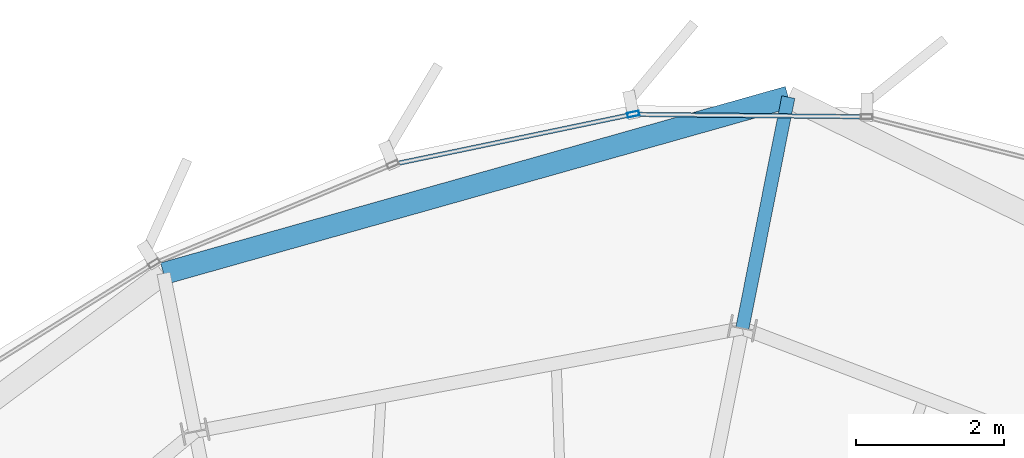
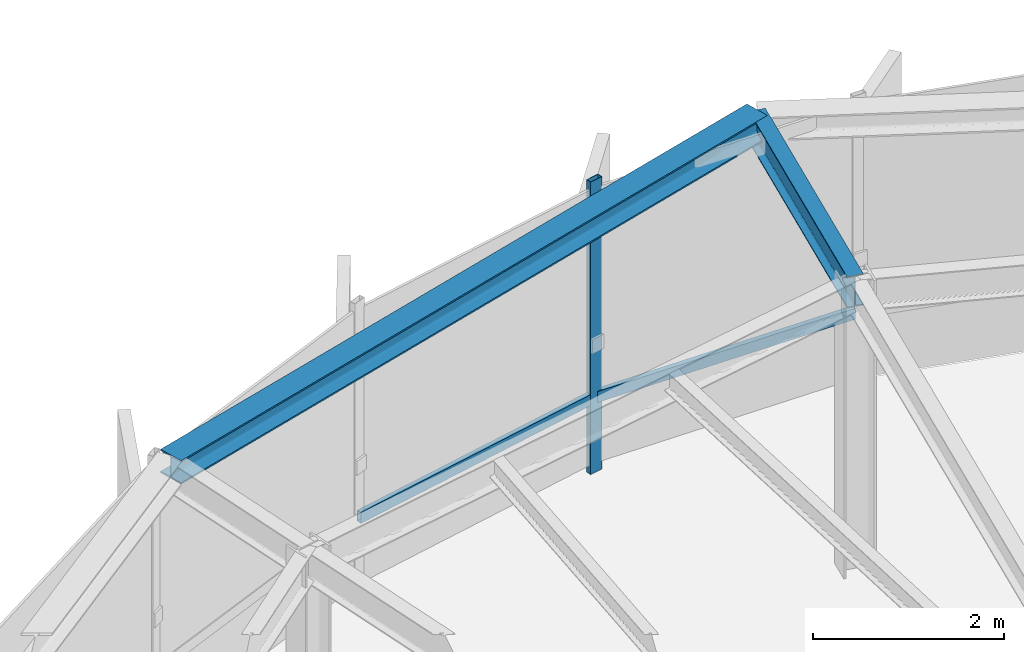
# One storey, part 18 of 27: 3 members, 2 beams, 1 element without a shape of its own.
"""IFC4 building model written with IfcOpenShell, lengths in metres."""

from ifc_helpers import new_model, si_unit, direction, frame, origin, origin_2d, place, context, subcontext, project, spatial, hollow_rectangle, i_section, extrude, source, transform, mapped, material, layer, layer_set, material_profile, profile_set, type_object, element, aggregate, save


model = new_model("IFC4")

# Units and contexts
model_context = context("Model", 3, precision=1e-05, world=origin(), true_north=direction((0.0, 1.0)))
body_context = subcontext(model_context, "Body", "Model", "MODEL_VIEW")
ifc_project = project(units=[si_unit("LENGTHUNIT", "METRE"), si_unit("AREAUNIT", "SQUARE_METRE"), si_unit("VOLUMEUNIT", "CUBIC_METRE"), si_unit("PLANEANGLEUNIT", "RADIAN"), si_unit("MASSUNIT", "GRAM", prefix="KILO"), si_unit("THERMODYNAMICTEMPERATUREUNIT", "KELVIN")], contexts=[model_context])

# Site, building, storey
site_placement = place(None, origin())
site = spatial("IfcSite", under=ifc_project, at=site_placement, CompositionType="ELEMENT")
building_placement = place(site_placement, origin())
building = spatial("IfcBuilding", under=site, at=building_placement, Name="Kethvar Cultural Tower", CompositionType="ELEMENT")
storey_placement = place(building_placement, frame((0.0, 0.0, 308.300048828125)))
storey = spatial("IfcBuildingStorey", under=building, at=storey_placement, Name="L82", CompositionType="ELEMENT", Elevation=308.300048828125)

# Beams
ifc_material_1 = material(Name="Steel S355J2", Category="steel")
ifc_material_profile_1 = material_profile(ifc_material_1, i_section(OverallWidth=0.179931640625, OverallDepth=0.39990234375, WebThickness=0.008544921875, FlangeThickness=0.013427734375, FilletRadius=0.02099609375, at=origin_2d()), Name="Steel S355J2 — IPE400")
ifc_profile_set_1 = profile_set([ifc_material_profile_1], Name="Steel S355J2 — IPE400")
beam_type_1 = type_object("IfcBeamType", Name="BM-IPE400", PredefinedType="BEAM", material=ifc_profile_set_1)
shared_shape_1 = source(origin(), body_context, "Body", "SweptSolid", [
    extrude(i_section(OverallWidth=0.179931640625, OverallDepth=0.39990234375, WebThickness=0.008544921875, FlangeThickness=0.013427734375, FilletRadius=0.02099609375, at=origin_2d()), origin(), (0.0, 0.0, 1.0), 3.191162109375),
])
beam_1_placement = place(storey_placement, frame((50.645263671875, 47.131591796875, 3.532958984375), z_axis=(0.195086160367, 0.980786108198, 0.0), x_axis=(-0.980786108198, 0.195086160367, 0.0)))
element("IfcBeam", 1, at=beam_1_placement, inside=storey, type_object=beam_type_1, Name="L82 Perimeter Cantilever Beam RC-04", PredefinedType="BEAM", context=body_context, shape_type="MappedRepresentation", body=[
    mapped(shared_shape_1, transform((0.0, 0.0, 0.0), scale=1.0)),
])
ifc_material_profile_2 = material_profile(ifc_material_1, i_section(OverallWidth=0.300048828125, OverallDepth=0.300048828125, WebThickness=0.010986328125, FlangeThickness=0.01904296875, FilletRadius=0.027099609375, at=origin_2d()), Name="Steel S355J2 — HEB300")
ifc_profile_set_2 = profile_set([ifc_material_profile_2], Name="Steel S355J2 — HEB300")
beam_type_2 = type_object("IfcBeamType", Name="BM-SP300", PredefinedType="SPANDREL", material=ifc_profile_set_2)
shared_shape_2 = source(origin(), body_context, "Body", "SweptSolid", [
    extrude(i_section(OverallWidth=0.300048828125, OverallDepth=0.300048828125, WebThickness=0.010986328125, FlangeThickness=0.01904296875, FilletRadius=0.027099609375, at=origin_2d()), origin(), (0.0, 0.0, 1.0), 8.791259765625),
])
beam_2_placement = place(storey_placement, frame((51.267822265625, 50.261474609375, 3.5830078125), z_axis=(-0.962402406809, -0.271627699928, 0.0), x_axis=(0.271627699928, -0.962402406809, 0.0)))
element("IfcBeam", 2, at=beam_2_placement, inside=storey, type_object=beam_type_2, Name="L82 Perimeter Spandrel Beam SP-04", PredefinedType="SPANDREL", context=body_context, shape_type="MappedRepresentation", body=[
    mapped(shared_shape_2, transform((0.0, 0.0, 0.0), scale=1.0)),
])

# Curtain wall, members
ifc_material_2 = material(Name="Aluminium 6063-T6", Category="aluminium")
ifc_layer = layer(ifc_material_2, 0.179931640625, Name="Aluminium 6063-T6", Category="aluminium")
ifc_layer_set = layer_set([ifc_layer], Name="Aluminium 6063-T6 (180 mm)")
curtain_wall_type = type_object("IfcCurtainWallType", Name="CW-SYS-06-CROWN", PredefinedType="NOTDEFINED", material=ifc_layer_set)
curtain_wall_placement = place(storey_placement, origin())
curtain_wall = element("IfcCurtainWall", 3, at=curtain_wall_placement, inside=storey, type_object=curtain_wall_type, Name="L82 Curtain Wall Run 01", PredefinedType="NOTDEFINED")
ifc_material_profile_3 = material_profile(ifc_material_2, hollow_rectangle(XDim=0.06494140625, YDim=0.159912109375, WallThickness=0.0048828125, at=origin_2d()), Name="Aluminium 6063-T6 — RHS160x65x5")
ifc_profile_set_3 = profile_set([ifc_material_profile_3], Name="Aluminium 6063-T6 — RHS160x65x5")
member_type_1 = type_object("IfcMemberType", Name="CW-SYS-06-CROWN-MUL", PredefinedType="MULLION", material=ifc_profile_set_3)
shared_shape_3 = source(origin(), body_context, "Body", "SweptSolid", [
    extrude(hollow_rectangle(XDim=0.06494140625, YDim=0.159912109375, WallThickness=0.0048828125, at=origin_2d()), origin(), (0.0, 0.0, 1.0), 3.73486328125),
])
member_1_placement = place(storey_placement, frame((49.16748046875, 50.031005859375, 0.0), z_axis=(0.0, 0.0, 1.0), x_axis=(0.204478967352, -0.978870957742, 0.0)))
member_1 = element("IfcMember", 4, at=member_1_placement, type_object=member_type_1, Name="CW-L82-R01 Mullion 3", PredefinedType="MULLION", context=body_context, shape_type="MappedRepresentation", body=[
    mapped(shared_shape_3, transform((0.0, 0.0, 0.0), scale=1.0)),
])
ifc_material_profile_4 = material_profile(ifc_material_2, hollow_rectangle(XDim=0.06005859375, YDim=0.139892578125, WallThickness=0.0048828125, at=origin_2d()), Name="Aluminium 6063-T6 — RHS140x60x5")
ifc_profile_set_4 = profile_set([ifc_material_profile_4], Name="Aluminium 6063-T6 — RHS140x60x5")
member_type_2 = type_object("IfcMemberType", Name="CW-SYS-06-CROWN-TRN", PredefinedType="USERDEFINED", material=ifc_profile_set_4)
shared_shape_4 = source(origin(), body_context, "Body", "SweptSolid", [
    extrude(hollow_rectangle(XDim=0.06005859375, YDim=0.139892578125, WallThickness=0.0048828125, at=origin_2d()), origin(), (0.0, 0.0, 1.0), 3.09619140625),
])
member_2_placement = place(storey_placement, frame((52.284423828125, 49.99609375, 0.949951171875), z_axis=(-0.999946645527, 0.010329864408, 0.0), x_axis=(-0.010329864408, -0.999946645527, 0.0)))
member_2 = element("IfcMember", 5, at=member_2_placement, type_object=member_type_2, Name="CW-L82-R01 Transom 2", ObjectType="TRANSOM", PredefinedType="USERDEFINED", context=body_context, shape_type="MappedRepresentation", body=[
    mapped(shared_shape_4, transform((0.0, 0.0, 0.0), scale=1.0)),
])
shared_shape_5 = source(origin(), body_context, "Body", "SweptSolid", [
    extrude(hollow_rectangle(XDim=0.06005859375, YDim=0.139892578125, WallThickness=0.0048828125, at=origin_2d()), origin(), (0.0, 0.0, 1.0), 3.2529296875),
])
member_3_placement = place(storey_placement, frame((49.12158203125, 50.021484375, 0.949951171875), z_axis=(-0.97886161545, -0.204523685179, 0.0), x_axis=(0.204523685179, -0.97886161545, 0.0)))
member_3 = element("IfcMember", 6, at=member_3_placement, type_object=member_type_2, Name="CW-L82-R01 Transom 3", ObjectType="TRANSOM", PredefinedType="USERDEFINED", context=body_context, shape_type="MappedRepresentation", body=[
    mapped(shared_shape_5, transform((0.0, 0.0, 0.0), scale=1.0)),
])
aggregate(curtain_wall, [member_1, member_2, member_3])

save(model, "model.ifc")
